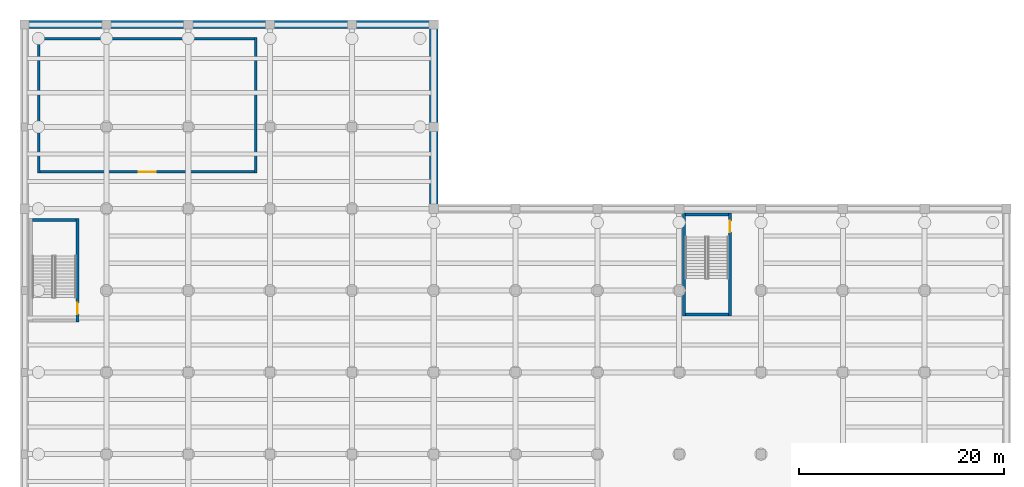
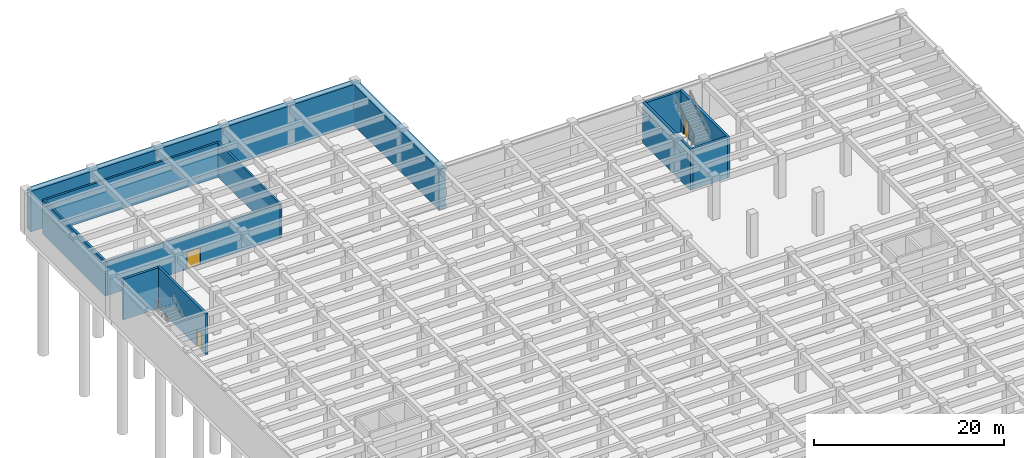
# One storey, part 11 of 18: 12 walls, 3 doors, 3 openings.
"""IFC4 building model written with IfcOpenShell, lengths in metres."""

from ifc_helpers import new_model, si_unit, direction, frame, frame_2d, origin, place, context, subcontext, project, spatial, rectangle, extrude, material, layer, layer_set, type_object, element, fill, save


model = new_model("IFC4")

# Units and contexts
model_context = context("Model", 3, precision=1e-05, world=origin(), true_north=direction((0.0, 1.0)))
body_context = subcontext(model_context, "Body", "Model", "MODEL_VIEW")
ifc_project = project(units=[si_unit("LENGTHUNIT", "METRE"), si_unit("AREAUNIT", "SQUARE_METRE"), si_unit("VOLUMEUNIT", "CUBIC_METRE"), si_unit("PLANEANGLEUNIT", "RADIAN"), si_unit("MASSUNIT", "GRAM", prefix="KILO")], contexts=[model_context])

# Site, building, storey
site_placement = place(None, origin())
site = spatial("IfcSite", under=ifc_project, at=site_placement, CompositionType="ELEMENT")
building_placement = place(site_placement, origin())
building = spatial("IfcBuilding", under=site, at=building_placement, Name="Drelvath Fold Interchange", CompositionType="ELEMENT")
storey_placement = place(building_placement, frame((0.0, 0.0, -11.199951171875)))
storey = spatial("IfcBuildingStorey", under=building, at=storey_placement, Name="B2", CompositionType="ELEMENT", Elevation=-11.199951171875)

# Wall, opening, door
ifc_material_1 = material(Name="Concrete f'c 45 MPa (6500 psi)", Category="concrete")
ifc_layer_1 = layer(ifc_material_1, 0.300048828125, Name="Concrete f'c 45 MPa (6500 psi)")
ifc_layer_set_1 = layer_set([ifc_layer_1], Name="Concrete f'c 45 MPa (6500 psi)")
wall_type_1 = type_object("IfcWallType", Name="WL-CR300", PredefinedType="SHEAR", material=ifc_layer_set_1)
wall_1_placement = place(storey_placement, frame((9.179931640625, 87.89990234375, 0.0), z_axis=(0.0, 0.0, 1.0), x_axis=(0.0, 1.0, 0.0)))
wall_1 = element("IfcWall", 1, at=wall_1_placement, inside=storey, type_object=wall_type_1, Name="ST-05 B2 east core wall", PredefinedType="SHEAR", context=body_context, shape_type="SweptSolid", body=[
    extrude(rectangle(XDim=10.150146484375, YDim=0.300048828125, at=frame_2d((5.0751953125, 0.0))), origin(), (0.0, 0.0, 1.0), 5.23486328125),
])
opening_1_placement = place(wall_1_placement, frame((0.800048828125, 0.0, 0.0)))
opening_1 = element("IfcOpeningElement", 2, at=opening_1_placement, cuts=wall_1, Name="Opening D-B2-032", PredefinedType="OPENING", context=body_context, shape_type="SweptSolid", body=[
    extrude(rectangle(XDim=1.10009765625, YDim=2.14990234375, at=frame_2d((0.550048828125, 1.074951171875))), frame((0.0, 0.159912109375, 0.0), z_axis=(0.0, -1.0, 0.0), x_axis=(1.0, 0.0, 0.0)), (0.0, 0.0, 1.0), 0.320068359375),
])
ifc_material_2 = material(Name="Insulated Hollow Metal Door Assembly")
door_type_1 = type_object("IfcDoorType", Name="DR-ST1100", OperationType="NOTDEFINED", PredefinedType="DOOR", material=ifc_material_2)
door_1_placement = place(opening_1_placement, origin())
door_1 = element("IfcDoor", 3, at=door_1_placement, inside=storey, type_object=door_type_1, Name="ST-05 B2 stair fire door D-B2-032", OperationType="SINGLE_SWING_RIGHT", OverallHeight=2.14990234375, OverallWidth=1.10009765625, PredefinedType="DOOR", context=body_context, shape_type="SweptSolid", body=[
    extrude(rectangle(XDim=1.10009765625, YDim=2.14990234375, at=frame_2d((0.550048828125, 1.074951171875))), frame((0.0, 0.02490234375, 0.0), z_axis=(0.0, -1.0, 0.0), x_axis=(1.0, 0.0, 0.0)), (0.0, 0.0, 1.0), 0.050048828125),
])
fill(opening_1, door_1)

# Walls
wall_2_placement = place(storey_placement, frame((9.030029296875, 97.89990234375, 0.0), z_axis=(0.0, 0.0, 1.0), x_axis=(-1.0, 0.0, 0.0)))
element("IfcWall", 4, at=wall_2_placement, inside=storey, type_object=wall_type_1, Name="ST-05 B2 north core wall", PredefinedType="SHEAR", context=body_context, shape_type="SweptSolid", body=[
    extrude(rectangle(XDim=4.280029296875, YDim=0.300048828125, at=frame_2d((2.14013671875, 0.0))), origin(), (0.0, 0.0, 1.0), 5.23486328125),
])
wall_3_placement = place(storey_placement, frame((68.60009765625, 88.64990234375, 0.0), z_axis=(0.0, 0.0, 1.0), x_axis=(1.0, 0.0, 0.0)))
element("IfcWall", 5, at=wall_3_placement, inside=storey, type_object=wall_type_1, Name="ST-06 B2 south core wall", PredefinedType="SHEAR", context=body_context, shape_type="SweptSolid", body=[
    extrude(rectangle(XDim=4.219970703125, YDim=0.300048828125, at=frame_2d((2.10986328125, 0.0))), origin(), (0.0, 0.0, 1.0), 5.23486328125),
])

# Wall, opening, door
wall_4_placement = place(storey_placement, frame((72.969970703125, 88.5, 0.0), z_axis=(0.0, 0.0, 1.0), x_axis=(0.0, 1.0, 0.0)))
wall_4 = element("IfcWall", 6, at=wall_4_placement, inside=storey, type_object=wall_type_1, Name="ST-06 B2 east core wall", PredefinedType="SHEAR", context=body_context, shape_type="SweptSolid", body=[
    extrude(rectangle(XDim=10.10009765625, YDim=0.300048828125, at=frame_2d((5.050048828125, 0.0))), origin(), (0.0, 0.0, 1.0), 5.23486328125),
])
opening_2_placement = place(wall_4_placement, frame((8.199951171875, 0.0, 0.0)))
opening_2 = element("IfcOpeningElement", 7, at=opening_2_placement, cuts=wall_4, Name="Opening D-B2-037", PredefinedType="OPENING", context=body_context, shape_type="SweptSolid", body=[
    extrude(rectangle(XDim=1.10009765625, YDim=2.14990234375, at=frame_2d((0.550048828125, 1.074951171875))), frame((0.0, 0.159912109375, 0.0), z_axis=(0.0, -1.0, 0.0), x_axis=(1.0, 0.0, 0.0)), (0.0, 0.0, 1.0), 0.320068359375),
])
door_2_placement = place(opening_2_placement, origin())
door_2 = element("IfcDoor", 8, at=door_2_placement, inside=storey, type_object=door_type_1, Name="ST-06 B2 stair fire door D-B2-037", OperationType="SINGLE_SWING_LEFT", OverallHeight=2.14990234375, OverallWidth=1.10009765625, PredefinedType="DOOR", context=body_context, shape_type="SweptSolid", body=[
    extrude(rectangle(XDim=1.10009765625, YDim=2.14990234375, at=frame_2d((0.550048828125, 1.074951171875))), frame((0.0, 0.02490234375, 0.0), z_axis=(0.0, -1.0, 0.0), x_axis=(1.0, 0.0, 0.0)), (0.0, 0.0, 1.0), 0.050048828125),
])
fill(opening_2, door_2)

# Walls
wall_5_placement = place(storey_placement, frame((72.820068359375, 98.449951171875, 0.0), z_axis=(0.0, 0.0, 1.0), x_axis=(-1.0, 0.0, 0.0)))
element("IfcWall", 9, at=wall_5_placement, inside=storey, type_object=wall_type_1, Name="ST-06 B2 north core wall", PredefinedType="SHEAR", context=body_context, shape_type="SweptSolid", body=[
    extrude(rectangle(XDim=4.219970703125, YDim=0.300048828125, at=frame_2d((2.10986328125, 0.0))), origin(), (0.0, 0.0, 1.0), 5.23486328125),
])
wall_6_placement = place(storey_placement, frame((68.449951171875, 98.60009765625, 0.0), z_axis=(0.0, 0.0, 1.0), x_axis=(0.0, -1.0, 0.0)))
element("IfcWall", 10, at=wall_6_placement, inside=storey, type_object=wall_type_1, Name="ST-06 B2 west core wall", PredefinedType="SHEAR", context=body_context, shape_type="SweptSolid", body=[
    extrude(rectangle(XDim=10.10009765625, YDim=0.300048828125, at=frame_2d((5.050048828125, 0.0))), origin(), (0.0, 0.0, 1.0), 5.23486328125),
])
ifc_layer_2 = layer(ifc_material_1, 0.800048828125, Name="Concrete f'c 45 MPa (6500 psi)")
ifc_layer_set_2 = layer_set([ifc_layer_2], Name="Concrete f'c 45 MPa (6500 psi)")
wall_type_2 = type_object("IfcWallType", Name="WL-DW800", PredefinedType="SOLIDWALL", material=ifc_layer_set_2)
wall_7_placement = place(storey_placement, frame((44.0, 98.60009765625, 0.0), z_axis=(0.0, 0.0, 1.0), x_axis=(0.0, 1.0, 0.0)))
element("IfcWall", 11, at=wall_7_placement, inside=storey, type_object=wall_type_2, Name="B2 diaphragm wall 5", PredefinedType="SOLIDWALL", context=body_context, shape_type="SweptSolid", body=[
    extrude(rectangle(XDim=18.7998046875, YDim=0.800048828125, at=frame_2d((9.39990234375, 0.0))), origin(), (0.0, 0.0, 1.0), 5.219970703125),
])
wall_8_placement = place(storey_placement, frame((4.39990234375, 117.0, 0.0), z_axis=(0.0, 0.0, 1.0), x_axis=(1.0, 0.0, 0.0)))
element("IfcWall", 12, at=wall_8_placement, inside=storey, type_object=wall_type_2, Name="B2 diaphragm wall 6", PredefinedType="SOLIDWALL", context=body_context, shape_type="SweptSolid", body=[
    extrude(rectangle(XDim=39.2001953125, YDim=0.800048828125, at=frame_2d((19.60009765625, 0.0))), origin(), (0.0, 0.0, 1.0), 5.219970703125),
])

# Wall, opening, door
ifc_material_3 = material(Name="Concrete f'c 35 MPa (5000 psi)", Category="concrete")
ifc_layer_3 = layer(ifc_material_3, 0.2451171875, Name="Concrete f'c 35 MPa (5000 psi)")
ifc_layer_set_3 = layer_set([ifc_layer_3], Name="Concrete f'c 35 MPa (5000 psi)")
wall_type_3 = type_object("IfcWallType", Name="WL-FR245", PredefinedType="SOLIDWALL", material=ifc_layer_set_3)
wall_9_placement = place(storey_placement, frame((5.52197265625, 102.60009765625, 0.0), z_axis=(0.0, 0.0, 1.0), x_axis=(1.0, 0.0, 0.0)))
wall_9 = element("IfcWall", 13, at=wall_9_placement, inside=storey, type_object=wall_type_3, Name="North Tunnel Exhaust Fan Plant S partition", PredefinedType="SOLIDWALL", context=body_context, shape_type="SweptSolid", body=[
    extrude(rectangle(XDim=20.9560546875, YDim=0.2451171875, at=frame_2d((10.47802734375, 0.0))), origin(), (0.0, 0.0, 1.0), 4.43505859375),
])
opening_3_placement = place(wall_9_placement, frame((9.653076171875, 0.0, 0.0)))
opening_3 = element("IfcOpeningElement", 14, at=opening_3_placement, cuts=wall_9, Name="Opening D-B2-079", PredefinedType="OPENING", context=body_context, shape_type="SweptSolid", body=[
    extrude(rectangle(XDim=1.64990234375, YDim=2.199951171875, at=frame_2d((0.824951171875, 1.10009765625))), frame((0.0, 0.132568359375, 0.0), z_axis=(0.0, -1.0, 0.0), x_axis=(1.0, 0.0, 0.0)), (0.0, 0.0, 1.0), 0.26513671875),
])
door_type_2 = type_object("IfcDoorType", Name="DR-FD165", OperationType="DOUBLE_DOOR_SINGLE_SWING", PredefinedType="DOOR", material=ifc_material_2)
door_3_placement = place(opening_3_placement, frame((1.64990234375, 0.0, 0.0), z_axis=(0.0, 0.0, 1.0), x_axis=(-1.0, 0.0, 0.0)))
door_3 = element("IfcDoor", 15, at=door_3_placement, inside=storey, type_object=door_type_2, Name="North Tunnel Exhaust Fan Plant door D-B2-079", OperationType="DOUBLE_DOOR_SINGLE_SWING", OverallHeight=2.199951171875, OverallWidth=1.64990234375, PredefinedType="DOOR", context=body_context, shape_type="SweptSolid", body=[
    extrude(rectangle(XDim=1.64990234375, YDim=2.199951171875, at=frame_2d((0.824951171875, 1.10009765625))), frame((0.0, 0.02490234375, 0.0), z_axis=(0.0, -1.0, 0.0), x_axis=(1.0, 0.0, 0.0)), (0.0, 0.0, 1.0), 0.050048828125),
])
fill(opening_3, door_3)

# Walls
wall_10_placement = place(storey_placement, frame((26.60009765625, 102.47705078125, 0.0), z_axis=(0.0, 0.0, 1.0), x_axis=(0.0, 1.0, 0.0)))
element("IfcWall", 16, at=wall_10_placement, inside=storey, type_object=wall_type_3, Name="North Tunnel Exhaust Fan Plant E partition", PredefinedType="SOLIDWALL", context=body_context, shape_type="SweptSolid", body=[
    extrude(rectangle(XDim=13.244873046875, YDim=0.2451171875, at=frame_2d((6.62255859375, 0.0))), origin(), (0.0, 0.0, 1.0), 4.43505859375),
])
wall_11_placement = place(storey_placement, frame((26.47802734375, 115.60009765625, 0.0), z_axis=(0.0, 0.0, 1.0), x_axis=(-1.0, 0.0, 0.0)))
element("IfcWall", 17, at=wall_11_placement, inside=storey, type_object=wall_type_3, Name="North Tunnel Exhaust Fan Plant N partition", PredefinedType="SOLIDWALL", context=body_context, shape_type="SweptSolid", body=[
    extrude(rectangle(XDim=20.9560546875, YDim=0.2451171875, at=frame_2d((10.47802734375, 0.0))), origin(), (0.0, 0.0, 1.0), 4.43505859375),
])
wall_12_placement = place(storey_placement, frame((5.39990234375, 115.721923828125, 0.0), z_axis=(0.0, 0.0, 1.0), x_axis=(0.0, -1.0, 0.0)))
element("IfcWall", 18, at=wall_12_placement, inside=storey, type_object=wall_type_3, Name="North Tunnel Exhaust Fan Plant W partition", PredefinedType="SOLIDWALL", context=body_context, shape_type="SweptSolid", body=[
    extrude(rectangle(XDim=13.244873046875, YDim=0.2451171875, at=frame_2d((6.62255859375, 0.0))), origin(), (0.0, 0.0, 1.0), 4.43505859375),
])

save(model, "model.ifc")
